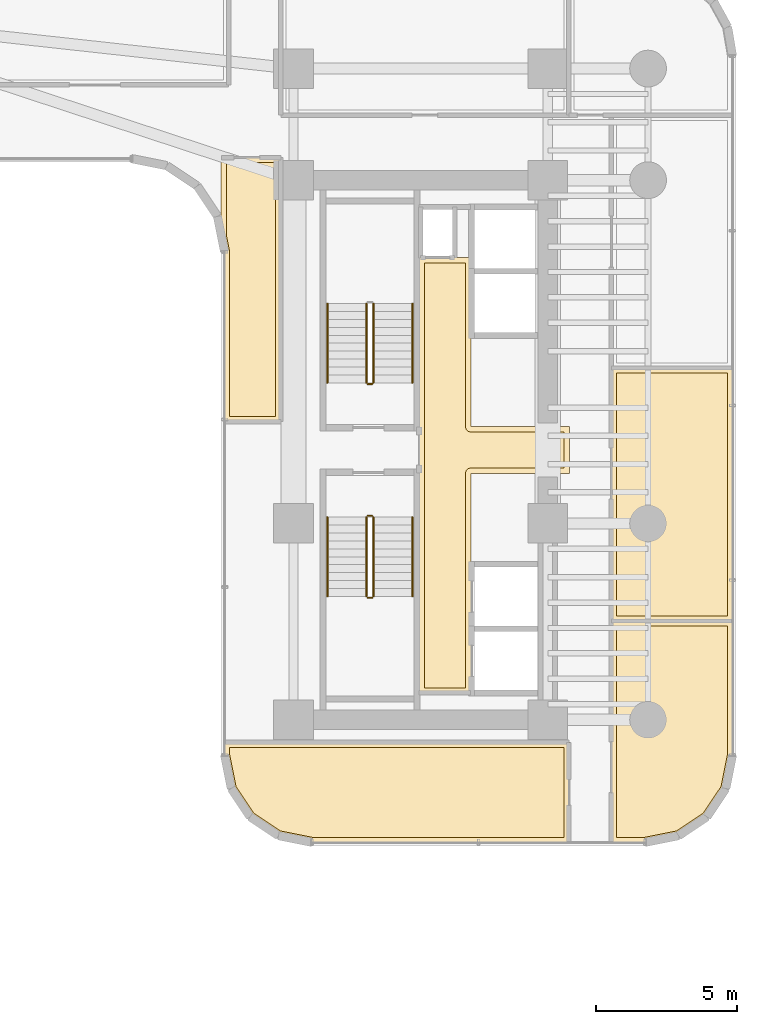
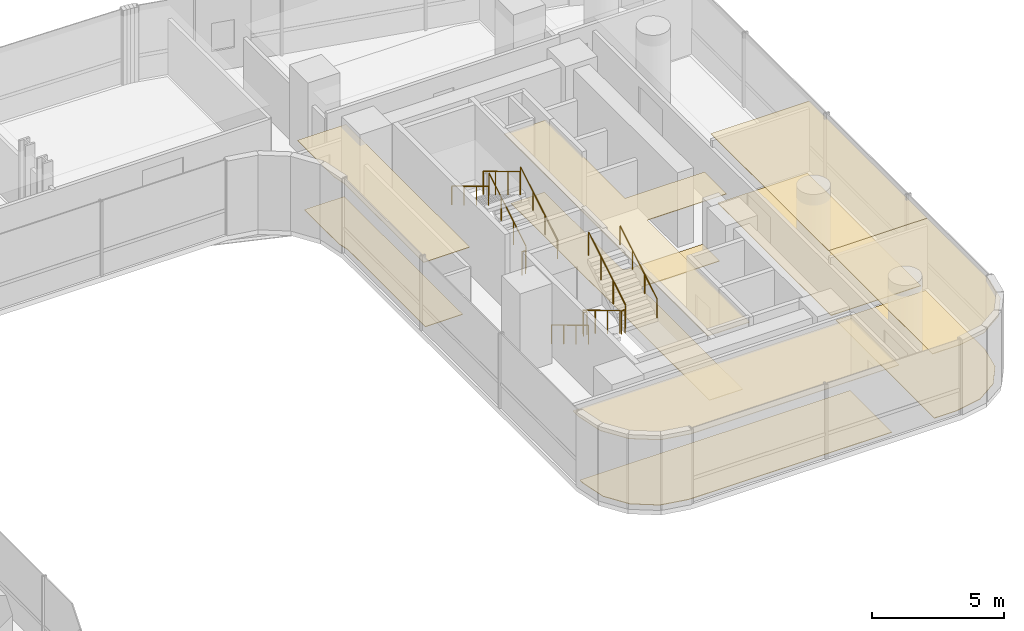
# One storey, part 37 of 39: 11 railings, 10 coverings.
"""IFC4 building model written with IfcOpenShell, lengths in metres."""

from ifc_helpers import new_model, si_unit, direction, frame, origin, origin_2d, place, context, subcontext, project, spatial, polyline, circle, outline, extrude, material, layer, layer_set, type_object, element, save


model = new_model("IFC4")

# Units and contexts
model_context = context("Model", 3, precision=1e-05, world=origin(), true_north=direction((0.0, 1.0)))
body_context = subcontext(model_context, "Body", "Model", "MODEL_VIEW")
ifc_project = project(units=[si_unit("LENGTHUNIT", "METRE"), si_unit("AREAUNIT", "SQUARE_METRE"), si_unit("VOLUMEUNIT", "CUBIC_METRE"), si_unit("PLANEANGLEUNIT", "RADIAN"), si_unit("MASSUNIT", "GRAM", prefix="KILO")], contexts=[model_context])

# Site, building, storey
site_placement = place(None, origin())
site = spatial("IfcSite", under=ifc_project, at=site_placement, CompositionType="ELEMENT")
building_placement = place(site_placement, origin())
building = spatial("IfcBuilding", under=site, at=building_placement, Name="Valdorenza Pilgrim Sanctuary Tower", CompositionType="ELEMENT")
storey_placement = place(building_placement, frame((0.0, 0.0, 77.800048828125)))
storey = spatial("IfcBuildingStorey", under=building, at=storey_placement, Name="L19", CompositionType="ELEMENT", Elevation=77.800048828125)

# Coverings
ifc_material_1 = material(Name="Micro-perforated acoustic mineral ceiling tile", Category="gypsum")
ifc_layer_1 = layer(ifc_material_1, 0.02490234375, Name="Micro-perforated acoustic mineral ceiling tile")
ifc_layer_set_1 = layer_set([ifc_layer_1], Name="Micro-perforated acoustic mineral ceiling tile")
covering_type_1 = type_object("IfcCoveringType", Name="COV-CLG-ACU", PredefinedType="CEILING", material=ifc_layer_set_1)
covering_1_placement = place(storey_placement, frame((0.0, 0.0, 3.159912109375)))
element("IfcCovering", 1, at=covering_1_placement, inside=storey, type_object=covering_type_1, Name="L19 Core B Passenger Lift Lobby Acoustic Ceiling", PredefinedType="CEILING", context=body_context, shape_type="SweptSolid", body=[
    extrude(outline(polyline([(20.287109375, -0.814697265625), (20.287109375, 0.814697265625), (20.28662109375, 0.815185546875), (20.2861328125, 0.81640625), (20.28564453125, 0.81787109375), (20.285400390625, 0.819091796875), (20.28515625, 0.820556640625), (20.284912109375, 0.822021484375), (20.284912109375, 6.800048828125), (20.28515625, 6.801513671875), (20.285400390625, 6.802978515625), (20.28564453125, 6.804443359375), (20.2861328125, 6.8056640625), (20.286865234375, 6.80712890625), (20.28759765625, 6.808349609375), (20.288330078125, 6.8095703125), (20.289306640625, 6.810546875), (20.29052734375, 6.8115234375), (20.291748046875, 6.8125), (20.29296875, 6.813232421875), (20.294189453125, 6.81396484375), (20.295654296875, 6.814453125), (20.297119140625, 6.814697265625), (20.298583984375, 6.81494140625), (20.300048828125, 6.81494140625), (20.347900390625, 6.81494140625), (20.349365234375, 6.81494140625), (20.350830078125, 6.814697265625), (20.352294921875, 6.814453125), (20.353515625, 6.81396484375), (20.35498046875, 6.813232421875), (20.35546875, 6.81298828125), (21.544677734375, 6.81298828125), (21.545166015625, 6.813232421875), (21.54638671875, 6.81396484375), (21.5478515625, 6.814453125), (21.54931640625, 6.814697265625), (21.550537109375, 6.81494140625), (21.552001953125, 6.81494140625), (22.1201171875, 6.81494140625), (22.12158203125, 6.81494140625), (22.122802734375, 6.814697265625), (22.12451171875, 6.814453125), (22.125732421875, 6.81396484375), (22.127197265625, 6.813232421875), (22.12841796875, 6.8125), (22.12939453125, 6.8115234375), (22.130615234375, 6.810546875), (22.131591796875, 6.8095703125), (22.132568359375, 6.808349609375), (22.13330078125, 6.80712890625), (22.1337890625, 6.8056640625), (22.134521484375, 6.804443359375), (22.134765625, 6.802978515625), (22.135009765625, 6.801513671875), (22.135009765625, 6.800048828125), (22.135009765625, 0.8349609375), (25.60009765625, 0.8349609375), (25.6015625, 0.8349609375), (25.602783203125, 0.834716796875), (25.6044921875, 0.83447265625), (25.605712890625, 0.833984375), (25.607177734375, 0.833251953125), (25.6083984375, 0.83251953125), (25.609619140625, 0.83154296875), (25.610595703125, 0.83056640625), (25.611572265625, 0.82958984375), (25.612548828125, 0.828369140625), (25.61328125, 0.8271484375), (25.614013671875, 0.82568359375), (25.614501953125, 0.824462890625), (25.61474609375, 0.822998046875), (25.614990234375, 0.821533203125), (25.614990234375, 0.820068359375), (25.614990234375, -0.820068359375), (25.614990234375, -0.821533203125), (25.61474609375, -0.822998046875), (25.614501953125, -0.824462890625), (25.614013671875, -0.82568359375), (25.61328125, -0.8271484375), (25.612548828125, -0.828369140625), (25.611572265625, -0.82958984375), (25.610595703125, -0.83056640625), (25.609619140625, -0.83154296875), (25.6083984375, -0.83251953125), (25.607177734375, -0.833251953125), (25.605712890625, -0.833984375), (25.6044921875, -0.83447265625), (25.602783203125, -0.834716796875), (25.6015625, -0.8349609375), (25.60009765625, -0.8349609375), (22.135009765625, -0.8349609375), (22.135009765625, -8.60009765625), (22.135009765625, -8.6015625), (22.134765625, -8.602783203125), (22.134521484375, -8.6044921875), (22.1337890625, -8.605712890625), (22.13330078125, -8.607177734375), (22.132568359375, -8.6083984375), (22.131591796875, -8.609619140625), (22.130615234375, -8.610595703125), (22.12939453125, -8.611572265625), (22.12841796875, -8.612548828125), (22.127197265625, -8.61328125), (22.125732421875, -8.614013671875), (22.12451171875, -8.614501953125), (22.122802734375, -8.61474609375), (22.12158203125, -8.614990234375), (22.1201171875, -8.614990234375), (20.300048828125, -8.614990234375), (20.298583984375, -8.614990234375), (20.297119140625, -8.61474609375), (20.295654296875, -8.614501953125), (20.294189453125, -8.614013671875), (20.29296875, -8.61328125), (20.291748046875, -8.612548828125), (20.29052734375, -8.611572265625), (20.289306640625, -8.610595703125), (20.288330078125, -8.609619140625), (20.28759765625, -8.6083984375), (20.286865234375, -8.607177734375), (20.2861328125, -8.605712890625), (20.28564453125, -8.6044921875), (20.285400390625, -8.602783203125), (20.28515625, -8.6015625), (20.284912109375, -8.60009765625), (20.284912109375, -0.822021484375), (20.28515625, -0.820556640625), (20.285400390625, -0.819091796875), (20.28564453125, -0.81787109375), (20.2861328125, -0.81640625), (20.28662109375, -0.815185546875), (20.287109375, -0.814697265625)])), origin(), (0.0, 0.0, 1.0), 0.025146484375),
])
covering_2_placement = place(storey_placement, frame((0.0, 0.0, 3.159912109375)))
element("IfcCovering", 2, at=covering_2_placement, inside=storey, type_object=covering_type_1, Name="L19 Theological Reference Library L19-BS Acoustic Ceiling", PredefinedType="CEILING", context=body_context, shape_type="SweptSolid", body=[
    extrude(outline(polyline([(25.614990234375, -13.889892578125), (25.614990234375, -13.8916015625), (25.61474609375, -13.892822265625), (25.614501953125, -13.894287109375), (25.614013671875, -13.895751953125), (25.61328125, -13.897216796875), (25.612548828125, -13.898193359375), (25.611572265625, -13.8994140625), (25.610595703125, -13.900634765625), (25.609619140625, -13.901611328125), (25.6083984375, -13.902587890625), (25.607177734375, -13.9033203125), (25.605712890625, -13.90380859375), (25.6044921875, -13.904296875), (25.602783203125, -13.90478515625), (25.6015625, -13.90478515625), (25.60009765625, -13.905029296875), (16.5107421875, -13.905029296875), (16.509521484375, -13.90478515625), (16.5078125, -13.90478515625), (15.3154296875, -13.66748046875), (15.31396484375, -13.6669921875), (15.3125, -13.66650390625), (15.311279296875, -13.666015625), (15.31005859375, -13.665283203125), (14.308349609375, -12.995849609375), (14.30712890625, -12.9951171875), (14.305908203125, -12.993896484375), (14.304931640625, -12.992919921875), (14.30419921875, -12.99169921875), (13.634765625, -11.989990234375), (13.634033203125, -11.98876953125), (13.63330078125, -11.9873046875), (13.6328125, -11.986083984375), (13.632568359375, -11.984619140625), (13.395263671875, -10.7919921875), (13.39501953125, -10.79052734375), (13.39501953125, -10.789306640625), (13.39501953125, -10.35009765625), (13.39501953125, -10.348388671875), (13.395263671875, -10.34716796875), (13.3955078125, -10.345703125), (13.39599609375, -10.34423828125), (13.396728515625, -10.343017578125), (13.3974609375, -10.341796875), (13.3984375, -10.340576171875), (13.3994140625, -10.33935546875), (13.400390625, -10.33837890625), (13.401611328125, -10.33740234375), (13.40283203125, -10.3369140625), (13.404296875, -10.336181640625), (13.405517578125, -10.335693359375), (13.406982421875, -10.335205078125), (13.408447265625, -10.335205078125), (13.409912109375, -10.3349609375), (25.60009765625, -10.3349609375), (25.6015625, -10.335205078125), (25.602783203125, -10.335205078125), (25.6044921875, -10.335693359375), (25.605712890625, -10.336181640625), (25.607177734375, -10.3369140625), (25.6083984375, -10.33740234375), (25.609619140625, -10.33837890625), (25.610595703125, -10.33935546875), (25.611572265625, -10.340576171875), (25.612548828125, -10.341796875), (25.61328125, -10.343017578125), (25.614013671875, -10.34423828125), (25.614501953125, -10.345703125), (25.61474609375, -10.34716796875), (25.614990234375, -10.348388671875), (25.614990234375, -10.35009765625), (25.614990234375, -13.889892578125)])), origin(), (0.0, 0.0, 1.0), 0.025146484375),
])
covering_3_placement = place(storey_placement, frame((0.0, 0.0, 3.159912109375)))
element("IfcCovering", 3, at=covering_3_placement, inside=storey, type_object=covering_type_1, Name="L19 East Reading Lounge L19-EB1 Acoustic Ceiling", PredefinedType="CEILING", context=body_context, shape_type="SweptSolid", body=[
    extrude(outline(polyline([(31.389892578125, -6.034912109375), (31.3916015625, -6.03515625), (31.392822265625, -6.035400390625), (31.394287109375, -6.03564453125), (31.395751953125, -6.0361328125), (31.397216796875, -6.036865234375), (31.398193359375, -6.03759765625), (31.3994140625, -6.038330078125), (31.400634765625, -6.039306640625), (31.401611328125, -6.04052734375), (31.402587890625, -6.041748046875), (31.4033203125, -6.04296875), (31.40380859375, -6.044189453125), (31.404296875, -6.045654296875), (31.40478515625, -6.047119140625), (31.40478515625, -6.048583984375), (31.405029296875, -6.050048828125), (31.405029296875, -10.789306640625), (31.40478515625, -10.79052734375), (31.40478515625, -10.7919921875), (31.16748046875, -11.984619140625), (31.1669921875, -11.986083984375), (31.16650390625, -11.9873046875), (31.166015625, -11.98876953125), (31.165283203125, -11.989990234375), (30.495849609375, -12.99169921875), (30.4951171875, -12.992919921875), (30.493896484375, -12.993896484375), (30.492919921875, -12.9951171875), (30.49169921875, -12.995849609375), (29.489990234375, -13.665283203125), (29.48876953125, -13.666015625), (29.4873046875, -13.66650390625), (29.486083984375, -13.6669921875), (29.484619140625, -13.66748046875), (28.2919921875, -13.90478515625), (28.29052734375, -13.90478515625), (28.289306640625, -13.905029296875), (27.10009765625, -13.905029296875), (27.098388671875, -13.90478515625), (27.09716796875, -13.90478515625), (27.095703125, -13.904296875), (27.09423828125, -13.90380859375), (27.093017578125, -13.9033203125), (27.091796875, -13.902587890625), (27.090576171875, -13.901611328125), (27.08935546875, -13.900634765625), (27.08837890625, -13.8994140625), (27.08740234375, -13.898193359375), (27.0869140625, -13.897216796875), (27.086181640625, -13.895751953125), (27.085693359375, -13.894287109375), (27.085205078125, -13.892822265625), (27.085205078125, -13.8916015625), (27.0849609375, -13.889892578125), (27.0849609375, -6.050048828125), (27.085205078125, -6.048583984375), (27.085205078125, -6.047119140625), (27.085693359375, -6.045654296875), (27.086181640625, -6.044189453125), (27.0869140625, -6.04296875), (27.08740234375, -6.041748046875), (27.08837890625, -6.04052734375), (27.08935546875, -6.039306640625), (27.090576171875, -6.038330078125), (27.091796875, -6.03759765625), (27.093017578125, -6.036865234375), (27.09423828125, -6.0361328125), (27.095703125, -6.03564453125), (27.09716796875, -6.035400390625), (27.098388671875, -6.03515625), (27.10009765625, -6.034912109375), (31.389892578125, -6.034912109375)])), origin(), (0.0, 0.0, 1.0), 0.025146484375),
])
covering_4_placement = place(storey_placement, frame((0.0, 0.0, 3.159912109375)))
element("IfcCovering", 4, at=covering_4_placement, inside=storey, type_object=covering_type_1, Name="L19 East Reading Lounge L19-EB2 Acoustic Ceiling", PredefinedType="CEILING", context=body_context, shape_type="SweptSolid", body=[
    extrude(outline(polyline([(27.0849609375, 2.89990234375), (27.085205078125, 2.901611328125), (27.085205078125, 2.90283203125), (27.085693359375, 2.904296875), (27.086181640625, 2.90576171875), (27.0869140625, 2.906982421875), (27.08740234375, 2.908203125), (27.08837890625, 2.909423828125), (27.08935546875, 2.91064453125), (27.090576171875, 2.91162109375), (27.091796875, 2.91259765625), (27.093017578125, 2.9130859375), (27.09423828125, 2.913818359375), (27.095703125, 2.914306640625), (27.09716796875, 2.914794921875), (27.098388671875, 2.914794921875), (27.10009765625, 2.9150390625), (31.389892578125, 2.9150390625), (31.3916015625, 2.914794921875), (31.392822265625, 2.914794921875), (31.394287109375, 2.914306640625), (31.395751953125, 2.913818359375), (31.397216796875, 2.9130859375), (31.398193359375, 2.91259765625), (31.3994140625, 2.91162109375), (31.400634765625, 2.91064453125), (31.401611328125, 2.909423828125), (31.402587890625, 2.908203125), (31.4033203125, 2.906982421875), (31.40380859375, 2.90576171875), (31.404296875, 2.904296875), (31.40478515625, 2.90283203125), (31.40478515625, 2.901611328125), (31.405029296875, 2.89990234375), (31.405029296875, -6.048095703125), (31.40478515625, -6.049560546875), (31.40478515625, -6.05078125), (31.404296875, -6.052490234375), (31.40380859375, -6.0537109375), (31.4033203125, -6.05517578125), (31.402587890625, -6.056396484375), (31.401611328125, -6.0576171875), (31.400634765625, -6.05859375), (31.3994140625, -6.0595703125), (31.398193359375, -6.060546875), (31.397216796875, -6.061279296875), (31.395751953125, -6.06201171875), (31.394287109375, -6.0625), (31.392822265625, -6.062744140625), (31.3916015625, -6.06298828125), (31.389892578125, -6.06298828125), (27.10009765625, -6.06298828125), (27.098388671875, -6.06298828125), (27.09716796875, -6.062744140625), (27.095703125, -6.0625), (27.09423828125, -6.06201171875), (27.093017578125, -6.061279296875), (27.091796875, -6.060546875), (27.090576171875, -6.0595703125), (27.08935546875, -6.05859375), (27.08837890625, -6.0576171875), (27.08740234375, -6.056396484375), (27.0869140625, -6.05517578125), (27.086181640625, -6.0537109375), (27.085693359375, -6.052490234375), (27.085205078125, -6.05078125), (27.085205078125, -6.049560546875), (27.0849609375, -6.048095703125), (27.0849609375, 2.89990234375)])), origin(), (0.0, 0.0, 1.0), 0.025146484375),
])
covering_5_placement = place(storey_placement, frame((0.0, 0.0, 3.159912109375)))
element("IfcCovering", 5, at=covering_5_placement, inside=storey, type_object=covering_type_1, Name="L19 Courtyard Overlook Salon L19 Acoustic Ceiling", PredefinedType="CEILING", context=body_context, shape_type="SweptSolid", body=[
    extrude(outline(polyline([(15.39990234375, 10.364990234375), (15.401611328125, 10.364990234375), (15.40283203125, 10.36474609375), (15.404296875, 10.364501953125), (15.40576171875, 10.364013671875), (15.406982421875, 10.36328125), (15.408203125, 10.362548828125), (15.409423828125, 10.361572265625), (15.41064453125, 10.360595703125), (15.41162109375, 10.359619140625), (15.41259765625, 10.3583984375), (15.4130859375, 10.357177734375), (15.413818359375, 10.355712890625), (15.414306640625, 10.3544921875), (15.414794921875, 10.352783203125), (15.414794921875, 10.3515625), (15.4150390625, 10.35009765625), (15.4150390625, 1.0), (15.414794921875, 0.99853515625), (15.414794921875, 0.9970703125), (15.414306640625, 0.99560546875), (15.413818359375, 0.994384765625), (15.4130859375, 0.992919921875), (15.41259765625, 0.99169921875), (15.41162109375, 0.990478515625), (15.41064453125, 0.989501953125), (15.409423828125, 0.98828125), (15.408203125, 0.987548828125), (15.406982421875, 0.98681640625), (15.40576171875, 0.986083984375), (15.404296875, 0.985595703125), (15.40283203125, 0.9853515625), (15.401611328125, 0.985107421875), (15.39990234375, 0.985107421875), (13.409912109375, 0.985107421875), (13.408447265625, 0.985107421875), (13.406982421875, 0.9853515625), (13.405517578125, 0.985595703125), (13.404296875, 0.986083984375), (13.40283203125, 0.98681640625), (13.401611328125, 0.987548828125), (13.400390625, 0.98828125), (13.3994140625, 0.989501953125), (13.3984375, 0.990478515625), (13.3974609375, 0.99169921875), (13.396728515625, 0.992919921875), (13.39599609375, 0.994384765625), (13.3955078125, 0.99560546875), (13.395263671875, 0.9970703125), (13.39501953125, 0.99853515625), (13.39501953125, 1.0), (13.39501953125, 6.99951171875), (13.39453125, 7.00927734375), (13.39306640625, 7.018798828125), (13.285400390625, 7.560791015625), (13.28515625, 7.562255859375), (13.284912109375, 7.563720703125), (13.284912109375, 10.35009765625), (13.28515625, 10.3515625), (13.285400390625, 10.352783203125), (13.28564453125, 10.3544921875), (13.2861328125, 10.355712890625), (13.286865234375, 10.357177734375), (13.28759765625, 10.3583984375), (13.288330078125, 10.359619140625), (13.289306640625, 10.360595703125), (13.29052734375, 10.361572265625), (13.291748046875, 10.362548828125), (13.29296875, 10.36328125), (13.294189453125, 10.364013671875), (13.295654296875, 10.364501953125), (13.297119140625, 10.36474609375), (13.298583984375, 10.364990234375), (13.300048828125, 10.364990234375), (15.39990234375, 10.364990234375)])), origin(), (0.0, 0.0, 1.0), 0.025146484375),
])
ifc_material_2 = material(Name="Honed travertine stone flooring", Category="masonry")
ifc_layer_2 = layer(ifc_material_2, 0.030029296875, Name="Honed travertine stone flooring")
ifc_layer_set_2 = layer_set([ifc_layer_2], Name="Honed travertine stone flooring")
covering_type_2 = type_object("IfcCoveringType", Name="COV-FLR-TRV", PredefinedType="FLOORING", material=ifc_layer_set_2)
covering_6_placement = place(storey_placement, origin())
element("IfcCovering", 6, at=covering_6_placement, inside=storey, type_object=covering_type_2, Name="L19 Core B Passenger Lift Lobby Flooring", PredefinedType="FLOORING", context=body_context, shape_type="SweptSolid", body=[
    extrude(outline(polyline([(20.47998046875, 6.617919921875), (21.550048828125, 6.617919921875), (21.550537109375, 6.617919921875), (21.93994140625, 6.619384765625), (21.93994140625, 0.820068359375), (21.94091796875, 0.802490234375), (21.943603515625, 0.784912109375), (21.94775390625, 0.767578125), (21.95361328125, 0.751220703125), (21.961181640625, 0.735107421875), (21.97021484375, 0.719970703125), (21.98095703125, 0.705810546875), (21.99267578125, 0.692626953125), (22.005859375, 0.680908203125), (22.02001953125, 0.67041015625), (22.03515625, 0.661376953125), (22.051025390625, 0.65380859375), (22.067626953125, 0.647705078125), (22.0849609375, 0.6435546875), (22.102294921875, 0.640869140625), (22.1201171875, 0.639892578125), (25.419921875, 0.639892578125), (25.419921875, -0.639892578125), (22.1201171875, -0.639892578125), (22.102294921875, -0.640869140625), (22.0849609375, -0.6435546875), (22.067626953125, -0.647705078125), (22.051025390625, -0.65380859375), (22.03515625, -0.661376953125), (22.02001953125, -0.67041015625), (22.005859375, -0.680908203125), (21.99267578125, -0.692626953125), (21.98095703125, -0.705810546875), (21.97021484375, -0.719970703125), (21.961181640625, -0.735107421875), (21.95361328125, -0.751220703125), (21.94775390625, -0.767578125), (21.943603515625, -0.784912109375), (21.94091796875, -0.802490234375), (21.93994140625, -0.820068359375), (21.93994140625, -8.419921875), (20.47998046875, -8.419921875), (20.47998046875, -0.846923828125), (20.47998046875, -0.8466796875), (20.47998046875, -0.8466796875), (20.481689453125, -0.8291015625), (20.481689453125, -0.828857421875), (20.48193359375, -0.820068359375), (20.48193359375, 0.820068359375), (20.47998046875, 6.617919921875)])), origin(), (0.0, 0.0, 1.0), 0.02490234375),
])
covering_7_placement = place(storey_placement, origin())
element("IfcCovering", 7, at=covering_7_placement, inside=storey, type_object=covering_type_2, Name="L19 Theological Reference Library L19-BS Flooring", PredefinedType="FLOORING", context=body_context, shape_type="SweptSolid", body=[
    extrude(outline(polyline([(25.419921875, -13.7099609375), (16.528564453125, -13.7099609375), (15.388671875, -13.483154296875), (14.4462890625, -12.853515625), (13.81689453125, -11.911376953125), (13.590087890625, -10.771484375), (13.590087890625, -10.530029296875), (25.419921875, -10.530029296875), (25.419921875, -13.7099609375)])), origin(), (0.0, 0.0, 1.0), 0.02490234375),
])
covering_8_placement = place(storey_placement, origin())
element("IfcCovering", 8, at=covering_8_placement, inside=storey, type_object=covering_type_2, Name="L19 East Reading Lounge L19-EB1 Flooring", PredefinedType="FLOORING", context=body_context, shape_type="SweptSolid", body=[
    extrude(outline(polyline([(31.2099609375, -6.22998046875), (31.2099609375, -10.771484375), (30.983154296875, -11.911376953125), (30.353515625, -12.853515625), (29.411376953125, -13.483154296875), (28.271484375, -13.7099609375), (27.280029296875, -13.7099609375), (27.280029296875, -6.22998046875), (31.2099609375, -6.22998046875)])), origin(), (0.0, 0.0, 1.0), 0.02490234375),
])
covering_9_placement = place(storey_placement, origin())
element("IfcCovering", 9, at=covering_9_placement, inside=storey, type_object=covering_type_2, Name="L19 East Reading Lounge L19-EB2 Flooring", PredefinedType="FLOORING", context=body_context, shape_type="SweptSolid", body=[
    extrude(outline(polyline([(27.280029296875, 2.719970703125), (31.2099609375, 2.719970703125), (31.2099609375, -5.867919921875), (27.280029296875, -5.867919921875), (27.280029296875, 2.719970703125)])), origin(), (0.0, 0.0, 1.0), 0.02490234375),
])
covering_10_placement = place(storey_placement, origin())
element("IfcCovering", 10, at=covering_10_placement, inside=storey, type_object=covering_type_2, Name="L19 Courtyard Overlook Salon L19 Flooring", PredefinedType="FLOORING", context=body_context, shape_type="SweptSolid", body=[
    extrude(outline(polyline([(15.219970703125, 10.169921875), (15.219970703125, 1.179931640625), (13.590087890625, 1.179931640625), (13.590087890625, 7.0), (13.58984375, 7.0087890625), (13.58935546875, 7.01953125), (13.58740234375, 7.037109375), (13.5859375, 7.0478515625), (13.58447265625, 7.056640625), (13.47998046875, 7.58154296875), (13.47998046875, 10.169921875), (15.219970703125, 10.169921875)])), origin(), (0.0, 0.0, 1.0), 0.02490234375),
])

# Railings
ifc_material_3 = material(Name="Stainless steel Grade 316", Category="steel")
railing_type_1 = type_object("IfcRailingType", Name="RLG-GRD-1120", PredefinedType="GUARDRAIL", material=ifc_material_3)
railing_1_placement = place(storey_placement, frame((18.679931640625, 2.3798828125, 0.168212890625)))
element("IfcRailing", 11, at=railing_1_placement, inside=storey, type_object=railing_type_1, Name="L19 ST-B1 stair guard 1", PredefinedType="GUARDRAIL", context=body_context, shape_type="SweptSolid", body=[
    extrude(circle(Radius=0.02392578125, at=origin_2d()), frame((0.0, 0.0, 1.076171875), z_axis=(0.0, 0.857275202839, 0.514858452973), x_axis=(-1.0, 0.0, 0.0)), (0.0, 0.0, 1.0), 3.26611328125),
    extrude(circle(Radius=0.02099609375, at=origin_2d()), origin(), (0.0, 0.0, 1.0), 1.052001953125),
    extrude(circle(Radius=0.02099609375, at=origin_2d()), frame((0.0, 0.933349609375, 0.560546875)), (0.0, 0.0, 1.0), 1.052001953125),
    extrude(circle(Radius=0.02099609375, at=origin_2d()), frame((0.0, 1.86669921875, 1.12109375)), (0.0, 0.0, 1.0), 1.052001953125),
    extrude(circle(Radius=0.02099609375, at=origin_2d()), frame((0.0, 2.800048828125, 1.681640625)), (0.0, 0.0, 1.0), 1.052001953125),
])
railing_2_placement = place(storey_placement, frame((18.429931640625, 5.179931640625, 2.01806640625)))
element("IfcRailing", 12, at=railing_2_placement, inside=storey, type_object=railing_type_1, Name="L19 ST-B1 stair guard 3", PredefinedType="GUARDRAIL", context=body_context, shape_type="SweptSolid", body=[
    extrude(circle(Radius=0.02392578125, at=origin_2d()), frame((0.0, 0.0, 1.076171875), z_axis=(0.0, -0.857242210791, 0.514913383045), x_axis=(1.0, 0.0, 0.0)), (0.0, 0.0, 1.0), 3.266357421875),
    extrude(circle(Radius=0.02099609375, at=origin_2d()), origin(), (0.0, 0.0, 1.0), 1.052001953125),
    extrude(circle(Radius=0.02099609375, at=origin_2d()), frame((0.0, -0.933349609375, 0.560546875)), (0.0, 0.0, 1.0), 1.052001953125),
    extrude(circle(Radius=0.02099609375, at=origin_2d()), frame((0.0, -1.86669921875, 1.121337890625)), (0.0, 0.0, 1.0), 1.052001953125),
    extrude(circle(Radius=0.02099609375, at=origin_2d()), frame((0.0, -2.800048828125, 1.681884765625)), (0.0, 0.0, 1.0), 1.052001953125),
])
railing_3_placement = place(storey_placement, frame((18.6298828125, 2.330078125, 0.0)))
element("IfcRailing", 13, at=railing_3_placement, inside=storey, type_object=railing_type_1, Name="L19 ST-B1 stair guard 4", PredefinedType="GUARDRAIL", context=body_context, shape_type="SweptSolid", body=[
    extrude(circle(Radius=0.02392578125, at=origin_2d()), frame((0.0, 0.0, 1.076171875), z_axis=(-1.0, 0.0, 0.0), x_axis=(0.0, -1.0, 0.0)), (0.0, 0.0, 1.0), 0.14990234375),
    extrude(circle(Radius=0.02099609375, at=origin_2d()), origin(), (0.0, 0.0, 1.0), 1.052001953125),
    extrude(circle(Radius=0.02099609375, at=origin_2d()), frame((-0.14990234375, 0.0, 0.0)), (0.0, 0.0, 1.0), 1.052001953125),
])
railing_4_placement = place(storey_placement, frame((18.429931640625, -2.3798828125, 0.168212890625)))
element("IfcRailing", 14, at=railing_4_placement, inside=storey, type_object=railing_type_1, Name="L19 ST-B2 stair guard 1", PredefinedType="GUARDRAIL", context=body_context, shape_type="SweptSolid", body=[
    extrude(circle(Radius=0.02392578125, at=origin_2d()), frame((0.0, 0.0, 1.076171875), z_axis=(0.0, -0.857275202839, 0.514858452973), x_axis=(1.0, 0.0, 0.0)), (0.0, 0.0, 1.0), 3.26611328125),
    extrude(circle(Radius=0.02099609375, at=origin_2d()), origin(), (0.0, 0.0, 1.0), 1.052001953125),
    extrude(circle(Radius=0.02099609375, at=origin_2d()), frame((0.0, -0.933349609375, 0.560546875)), (0.0, 0.0, 1.0), 1.052001953125),
    extrude(circle(Radius=0.02099609375, at=origin_2d()), frame((0.0, -1.86669921875, 1.12109375)), (0.0, 0.0, 1.0), 1.052001953125),
    extrude(circle(Radius=0.02099609375, at=origin_2d()), frame((0.0, -2.800048828125, 1.681640625)), (0.0, 0.0, 1.0), 1.052001953125),
])
railing_5_placement = place(storey_placement, frame((18.47998046875, -5.22998046875, 1.849853515625)))
element("IfcRailing", 15, at=railing_5_placement, inside=storey, type_object=railing_type_1, Name="L19 ST-B2 stair guard 2", PredefinedType="GUARDRAIL", context=body_context, shape_type="SweptSolid", body=[
    extrude(circle(Radius=0.02392578125, at=origin_2d()), frame((0.0, 0.0, 1.076171875), z_axis=(1.0, 0.0, 0.0), x_axis=(0.0, 1.0, 0.0)), (0.0, 0.0, 1.0), 0.14990234375),
    extrude(circle(Radius=0.02099609375, at=origin_2d()), origin(), (0.0, 0.0, 1.0), 1.052001953125),
    extrude(circle(Radius=0.02099609375, at=origin_2d()), frame((0.14990234375, 0.0, 0.0)), (0.0, 0.0, 1.0), 1.052001953125),
])
railing_6_placement = place(storey_placement, frame((18.679931640625, -5.179931640625, 2.01806640625)))
element("IfcRailing", 16, at=railing_6_placement, inside=storey, type_object=railing_type_1, Name="L19 ST-B2 stair guard 3", PredefinedType="GUARDRAIL", context=body_context, shape_type="SweptSolid", body=[
    extrude(circle(Radius=0.02392578125, at=origin_2d()), frame((0.0, 0.0, 1.076171875), z_axis=(0.0, 0.857242210791, 0.514913383045), x_axis=(-1.0, 0.0, 0.0)), (0.0, 0.0, 1.0), 3.266357421875),
    extrude(circle(Radius=0.02099609375, at=origin_2d()), origin(), (0.0, 0.0, 1.0), 1.052001953125),
    extrude(circle(Radius=0.02099609375, at=origin_2d()), frame((0.0, 0.933349609375, 0.560546875)), (0.0, 0.0, 1.0), 1.052001953125),
    extrude(circle(Radius=0.02099609375, at=origin_2d()), frame((0.0, 1.86669921875, 1.121337890625)), (0.0, 0.0, 1.0), 1.052001953125),
    extrude(circle(Radius=0.02099609375, at=origin_2d()), frame((0.0, 2.800048828125, 1.681884765625)), (0.0, 0.0, 1.0), 1.052001953125),
])
railing_7_placement = place(storey_placement, frame((18.47998046875, -2.330078125, 0.0)))
element("IfcRailing", 17, at=railing_7_placement, inside=storey, type_object=railing_type_1, Name="L19 ST-B2 stair guard 4", PredefinedType="GUARDRAIL", context=body_context, shape_type="SweptSolid", body=[
    extrude(circle(Radius=0.02392578125, at=origin_2d()), frame((0.0, 0.0, 1.076171875), z_axis=(1.0, 0.0, 0.0), x_axis=(0.0, 1.0, 0.0)), (0.0, 0.0, 1.0), 0.14990234375),
    extrude(circle(Radius=0.02099609375, at=origin_2d()), origin(), (0.0, 0.0, 1.0), 1.052001953125),
    extrude(circle(Radius=0.02099609375, at=origin_2d()), frame((0.14990234375, 0.0, 0.0)), (0.0, 0.0, 1.0), 1.052001953125),
])
ifc_material_4 = material(Name="Brushed stainless steel Grade 316", Category="steel")
railing_type_2 = type_object("IfcRailingType", Name="RLG-HND-920", PredefinedType="HANDRAIL", material=ifc_material_4)
railing_8_placement = place(storey_placement, frame((20.06005859375, 2.3798828125, 0.168212890625)))
element("IfcRailing", 18, at=railing_8_placement, inside=storey, type_object=railing_type_2, Name="L19 ST-B1 stair handrail 1", PredefinedType="HANDRAIL", context=body_context, shape_type="SweptSolid", body=[
    extrude(circle(Radius=0.02392578125, at=origin_2d()), frame((0.0, 0.0, 0.8759765625), z_axis=(0.0, 0.857275202839, 0.514858452973), x_axis=(-1.0, 0.0, 0.0)), (0.0, 0.0, 1.0), 3.26611328125),
    extrude(circle(Radius=0.02099609375, at=origin_2d()), origin(), (0.0, 0.0, 1.0), 0.851806640625),
    extrude(circle(Radius=0.02099609375, at=origin_2d()), frame((0.0, 0.933349609375, 0.560546875)), (0.0, 0.0, 1.0), 0.851806640625),
    extrude(circle(Radius=0.02099609375, at=origin_2d()), frame((0.0, 1.86669921875, 1.12109375)), (0.0, 0.0, 1.0), 0.851806640625),
    extrude(circle(Radius=0.02099609375, at=origin_2d()), frame((0.0, 2.800048828125, 1.681640625)), (0.0, 0.0, 1.0), 0.851806640625),
])
railing_9_placement = place(storey_placement, frame((17.050048828125, 5.179931640625, 2.01806640625)))
element("IfcRailing", 19, at=railing_9_placement, inside=storey, type_object=railing_type_2, Name="L19 ST-B1 stair handrail 2", PredefinedType="HANDRAIL", context=body_context, shape_type="SweptSolid", body=[
    extrude(circle(Radius=0.02392578125, at=origin_2d()), frame((0.0, 0.0, 0.8759765625), z_axis=(0.0, -0.857242210791, 0.514913383045), x_axis=(1.0, 0.0, 0.0)), (0.0, 0.0, 1.0), 3.266357421875),
    extrude(circle(Radius=0.02099609375, at=origin_2d()), origin(), (0.0, 0.0, 1.0), 0.851806640625),
    extrude(circle(Radius=0.02099609375, at=origin_2d()), frame((0.0, -0.933349609375, 0.560546875)), (0.0, 0.0, 1.0), 0.851806640625),
    extrude(circle(Radius=0.02099609375, at=origin_2d()), frame((0.0, -1.86669921875, 1.121337890625)), (0.0, 0.0, 1.0), 0.851806640625),
    extrude(circle(Radius=0.02099609375, at=origin_2d()), frame((0.0, -2.800048828125, 1.681884765625)), (0.0, 0.0, 1.0), 0.851806640625),
])
railing_10_placement = place(storey_placement, frame((17.050048828125, -2.3798828125, 0.168212890625)))
element("IfcRailing", 20, at=railing_10_placement, inside=storey, type_object=railing_type_2, Name="L19 ST-B2 stair handrail 1", PredefinedType="HANDRAIL", context=body_context, shape_type="SweptSolid", body=[
    extrude(circle(Radius=0.02392578125, at=origin_2d()), frame((0.0, 0.0, 0.8759765625), z_axis=(0.0, -0.857275202839, 0.514858452973), x_axis=(1.0, 0.0, 0.0)), (0.0, 0.0, 1.0), 3.26611328125),
    extrude(circle(Radius=0.02099609375, at=origin_2d()), origin(), (0.0, 0.0, 1.0), 0.851806640625),
    extrude(circle(Radius=0.02099609375, at=origin_2d()), frame((0.0, -0.933349609375, 0.560546875)), (0.0, 0.0, 1.0), 0.851806640625),
    extrude(circle(Radius=0.02099609375, at=origin_2d()), frame((0.0, -1.86669921875, 1.12109375)), (0.0, 0.0, 1.0), 0.851806640625),
    extrude(circle(Radius=0.02099609375, at=origin_2d()), frame((0.0, -2.800048828125, 1.681640625)), (0.0, 0.0, 1.0), 0.851806640625),
])
railing_11_placement = place(storey_placement, frame((20.06005859375, -5.179931640625, 2.01806640625)))
element("IfcRailing", 21, at=railing_11_placement, inside=storey, type_object=railing_type_2, Name="L19 ST-B2 stair handrail 2", PredefinedType="HANDRAIL", context=body_context, shape_type="SweptSolid", body=[
    extrude(circle(Radius=0.02392578125, at=origin_2d()), frame((0.0, 0.0, 0.8759765625), z_axis=(0.0, 0.857242210791, 0.514913383045), x_axis=(-1.0, 0.0, 0.0)), (0.0, 0.0, 1.0), 3.266357421875),
    extrude(circle(Radius=0.02099609375, at=origin_2d()), origin(), (0.0, 0.0, 1.0), 0.851806640625),
    extrude(circle(Radius=0.02099609375, at=origin_2d()), frame((0.0, 0.933349609375, 0.560546875)), (0.0, 0.0, 1.0), 0.851806640625),
    extrude(circle(Radius=0.02099609375, at=origin_2d()), frame((0.0, 1.86669921875, 1.121337890625)), (0.0, 0.0, 1.0), 0.851806640625),
    extrude(circle(Radius=0.02099609375, at=origin_2d()), frame((0.0, 2.800048828125, 1.681884765625)), (0.0, 0.0, 1.0), 0.851806640625),
])

save(model, "model.ifc")
